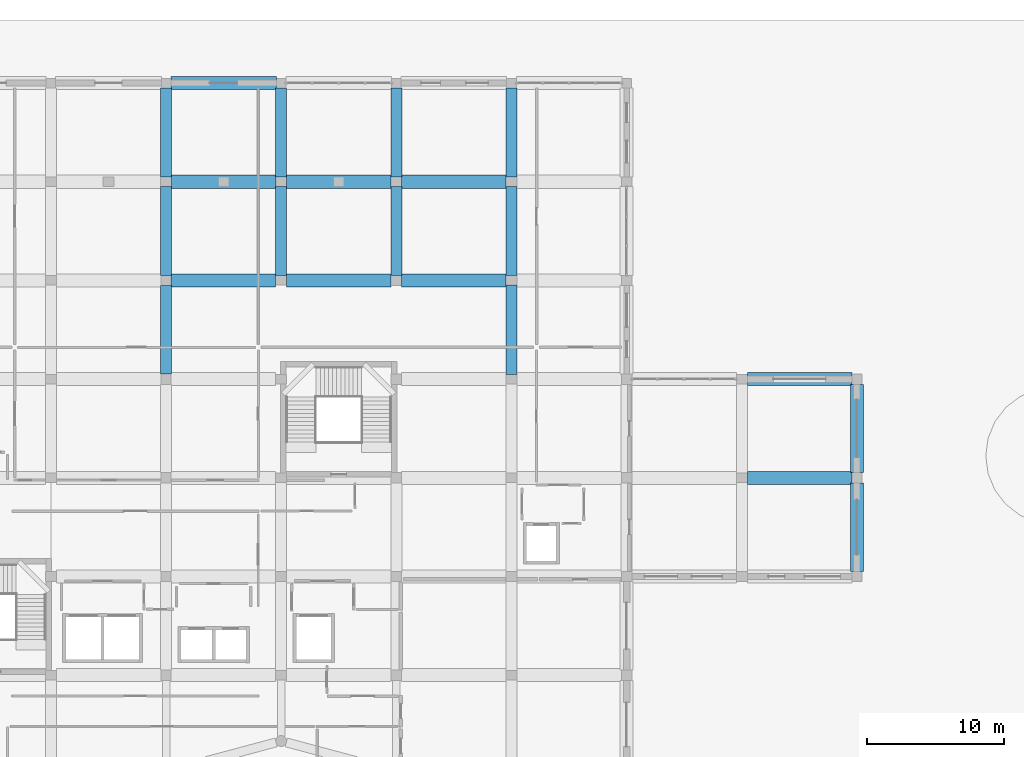
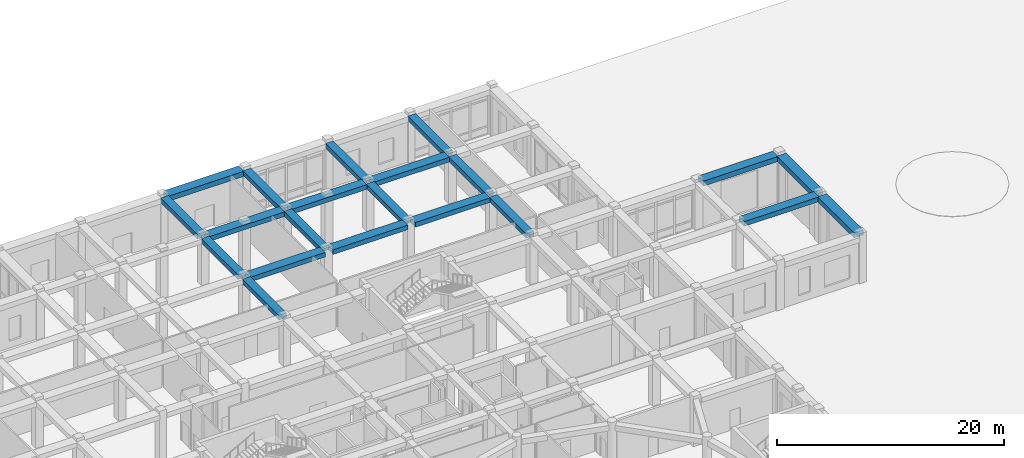
# One storey, part 38 of 84: 21 beams.
"""IFC4 building model written with IfcOpenShell, lengths in metres."""

from ifc_helpers import new_model, si_unit, derived_unit, direction, frame, origin, origin_2d, place, context, subcontext, project, spatial, rectangle, extrude, material, material_profile, profile_set, type_object, element, save


model = new_model("IFC4")

# Units and contexts
model_context = context("Model", 3, precision=1e-05, world=origin(), true_north=direction((0.0, 1.0)))
body_context = subcontext(model_context, "Body", "Model", "MODEL_VIEW")
ifc_project = project(units=[si_unit("LENGTHUNIT", "METRE"), si_unit("AREAUNIT", "SQUARE_METRE"), si_unit("VOLUMEUNIT", "CUBIC_METRE"), si_unit("PLANEANGLEUNIT", "RADIAN"), si_unit("MASSUNIT", "GRAM", prefix="KILO"), derived_unit("THERMALTRANSMITTANCEUNIT", [(si_unit("POWERUNIT", "WATT"), 1), (si_unit("LENGTHUNIT", "METRE"), -2), (si_unit("THERMODYNAMICTEMPERATUREUNIT", "KELVIN"), -1)])], contexts=[model_context])

# Site, building, storey
site_placement = place(None, origin())
site = spatial("IfcSite", under=ifc_project, at=site_placement, CompositionType="ELEMENT")
building_placement = place(site_placement, origin())
building = spatial("IfcBuilding", under=site, at=building_placement, Name="Veybourne Emporium", CompositionType="ELEMENT")
storey_placement = place(building_placement, origin())
storey = spatial("IfcBuildingStorey", under=building, at=storey_placement, Name="L00", CompositionType="ELEMENT", Elevation=0.0)

# Beams
ifc_material = material(Name="Concrete C32/40", Category="concrete")
ifc_material_profile_1 = material_profile(ifc_material, rectangle(XDim=0.949951171875, YDim=0.5, at=origin_2d()), Name="RC 950x500")
ifc_profile_set_1 = profile_set([ifc_material_profile_1], Name="Concrete C32/40")
beam_type_1 = type_object("IfcBeamType", Name="RCBeam_BB-01", PredefinedType="BEAM", material=ifc_profile_set_1)
beam_1_placement = place(storey_placement, frame((67.574951171875, 100.800048828125, 4.830078125), z_axis=(1.0, 0.0, 0.0), x_axis=(0.0, 1.0, 0.0)))
element("IfcBeam", 1, at=beam_1_placement, inside=storey, type_object=beam_type_1, Name="L00 X-grid beam BB-01 (8,14)", PredefinedType="BEAM", context=body_context, shape_type="SweptSolid", body=[
    extrude(rectangle(XDim=0.949951171875, YDim=0.5, at=origin_2d()), origin(), (0.0, 0.0, 1.0), 7.625),
])
beam_2_placement = place(storey_placement, frame((67.590087890625, 108.0, 4.830078125), z_axis=(1.0, 0.0, 0.0), x_axis=(0.0, 1.0, 0.0)))
element("IfcBeam", 2, at=beam_2_placement, inside=storey, type_object=beam_type_1, Name="L00 X-grid beam BB-01 (8,15)", PredefinedType="BEAM", context=body_context, shape_type="SweptSolid", body=[
    extrude(rectangle(XDim=0.949951171875, YDim=0.5, at=origin_2d()), origin(), (0.0, 0.0, 1.0), 7.619873046875),
])
beam_3_placement = place(storey_placement, frame((76.0, 100.800048828125, 4.830078125), z_axis=(1.0, 0.0, 0.0), x_axis=(0.0, 1.0, 0.0)))
element("IfcBeam", 3, at=beam_3_placement, inside=storey, type_object=beam_type_1, Name="L00 X-grid beam BB-01 (9,14)", PredefinedType="BEAM", context=body_context, shape_type="SweptSolid", body=[
    extrude(rectangle(XDim=0.949951171875, YDim=0.5, at=origin_2d()), origin(), (0.0, 0.0, 1.0), 7.625),
])
beam_4_placement = place(storey_placement, frame((75.989990234375, 108.0, 4.830078125), z_axis=(1.0, 0.0, 0.0), x_axis=(0.0, 1.0, 0.0)))
element("IfcBeam", 4, at=beam_4_placement, inside=storey, type_object=beam_type_1, Name="L00 X-grid beam BB-01 (9,15)", PredefinedType="BEAM", context=body_context, shape_type="SweptSolid", body=[
    extrude(rectangle(XDim=0.949951171875, YDim=0.5, at=origin_2d()), origin(), (0.0, 0.0, 1.0), 7.6201171875),
])
beam_5_placement = place(storey_placement, frame((84.375, 100.800048828125, 4.830078125), z_axis=(1.0, 0.0, 0.0), x_axis=(0.0, 1.0, 0.0)))
element("IfcBeam", 5, at=beam_5_placement, inside=storey, type_object=beam_type_1, Name="L00 X-grid beam BB-01 (10,14)", PredefinedType="BEAM", context=body_context, shape_type="SweptSolid", body=[
    extrude(rectangle(XDim=0.949951171875, YDim=0.5, at=origin_2d()), origin(), (0.0, 0.0, 1.0), 7.625),
])
beam_6_placement = place(storey_placement, frame((84.389892578125, 108.0, 4.830078125), z_axis=(1.0, 0.0, 0.0), x_axis=(0.0, 1.0, 0.0)))
element("IfcBeam", 6, at=beam_6_placement, inside=storey, type_object=beam_type_1, Name="L00 X-grid beam BB-01 (10,15)", PredefinedType="BEAM", context=body_context, shape_type="SweptSolid", body=[
    extrude(rectangle(XDim=0.949951171875, YDim=0.5, at=origin_2d()), origin(), (0.0, 0.0, 1.0), 7.6201171875),
])
beam_7_placement = place(storey_placement, frame((109.60009765625, 86.39990234375, 4.830078125), z_axis=(1.0, 0.0, 0.0), x_axis=(0.0, 1.0, 0.0)))
element("IfcBeam", 7, at=beam_7_placement, inside=storey, type_object=beam_type_1, Name="L00 X-grid beam BB-01 (13,12)", PredefinedType="BEAM", context=body_context, shape_type="SweptSolid", body=[
    extrude(rectangle(XDim=0.949951171875, YDim=0.5, at=origin_2d()), origin(), (0.0, 0.0, 1.0), 7.625),
])
ifc_material_profile_2 = material_profile(ifc_material, rectangle(XDim=0.800048828125, YDim=0.5, at=origin_2d()), Name="RC 800x500")
ifc_profile_set_2 = profile_set([ifc_material_profile_2], Name="Concrete C32/40")
beam_type_2 = type_object("IfcBeamType", Name="RCBeam_BB-02", PredefinedType="BEAM", material=ifc_profile_set_2)
beam_8_placement = place(storey_placement, frame((67.199951171875, 93.97509765625, 4.830078125), z_axis=(0.0, 1.0, 0.0), x_axis=(-1.0, 0.0, 0.0)))
element("IfcBeam", 8, at=beam_8_placement, inside=storey, type_object=beam_type_2, Name="L00 Y-grid beam BB-02 (8,13)", PredefinedType="BEAM", context=body_context, shape_type="SweptSolid", body=[
    extrude(rectangle(XDim=0.800048828125, YDim=0.5, at=origin_2d()), origin(), (0.0, 0.0, 1.0), 6.449951171875),
])
beam_9_placement = place(storey_placement, frame((67.199951171875, 101.175048828125, 4.830078125), z_axis=(0.0, 1.0, 0.0), x_axis=(-1.0, 0.0, 0.0)))
element("IfcBeam", 9, at=beam_9_placement, inside=storey, type_object=beam_type_2, Name="L00 Y-grid beam BB-02 (8,14)", PredefinedType="BEAM", context=body_context, shape_type="SweptSolid", body=[
    extrude(rectangle(XDim=0.800048828125, YDim=0.5, at=origin_2d()), origin(), (0.0, 0.0, 1.0), 6.46484375),
])
for number, where, z_axis, x_axis, name in (
    (10, (67.199951171875, 108.360107421875, 4.830078125), (0.0, 1.0, 0.0), (-1.0, 0.0, 0.0), "L00 Y-grid beam BB-02 (8,15)"),
    (11, (75.60009765625, 101.14990234375, 4.830078125), (0.0, 1.0, 0.0), (-1.0, 0.0, 0.0), "L00 Y-grid beam BB-02 (9,14)"),
    (12, (75.60009765625, 108.360107421875, 4.830078125), (0.0, 1.0, 0.0), (-1.0, 0.0, 0.0), "L00 Y-grid beam BB-02 (9,15)"),
):
    element("IfcBeam", number, at=place(storey_placement, frame(where, z_axis=z_axis, x_axis=x_axis)), inside=storey, type_object=beam_type_2, Name=name, PredefinedType="BEAM", context=body_context, shape_type="SweptSolid", body=[
        extrude(rectangle(XDim=0.800048828125, YDim=0.5, at=origin_2d()), origin(), (0.0, 0.0, 1.0), 6.489990234375),
    ])
beam_10_placement = place(storey_placement, frame((84.0, 101.175048828125, 4.830078125), z_axis=(0.0, 1.0, 0.0), x_axis=(-1.0, 0.0, 0.0)))
element("IfcBeam", 13, at=beam_10_placement, inside=storey, type_object=beam_type_2, Name="L00 Y-grid beam BB-02 (10,14)", PredefinedType="BEAM", context=body_context, shape_type="SweptSolid", body=[
    extrude(rectangle(XDim=0.800048828125, YDim=0.5, at=origin_2d()), origin(), (0.0, 0.0, 1.0), 6.46484375),
])
beam_11_placement = place(storey_placement, frame((84.0, 108.360107421875, 4.830078125), z_axis=(0.0, 1.0, 0.0), x_axis=(-1.0, 0.0, 0.0)))
element("IfcBeam", 14, at=beam_11_placement, inside=storey, type_object=beam_type_2, Name="L00 Y-grid beam BB-02 (10,15)", PredefinedType="BEAM", context=body_context, shape_type="SweptSolid", body=[
    extrude(rectangle(XDim=0.800048828125, YDim=0.5, at=origin_2d()), origin(), (0.0, 0.0, 1.0), 6.489990234375),
])
beam_12_placement = place(storey_placement, frame((92.39990234375, 93.949951171875, 4.830078125), z_axis=(0.0, 1.0, 0.0), x_axis=(-1.0, 0.0, 0.0)))
element("IfcBeam", 15, at=beam_12_placement, inside=storey, type_object=beam_type_2, Name="L00 Y-grid beam BB-02 (11,13)", PredefinedType="BEAM", context=body_context, shape_type="SweptSolid", body=[
    extrude(rectangle(XDim=0.800048828125, YDim=0.5, at=origin_2d()), origin(), (0.0, 0.0, 1.0), 6.5),
])
for number, where, z_axis, x_axis, name in (
    (16, (92.39990234375, 101.14990234375, 4.830078125), (0.0, 1.0, 0.0), (-1.0, 0.0, 0.0), "L00 Y-grid beam BB-02 (11,14)"),
    (17, (92.39990234375, 108.360107421875, 4.830078125), (0.0, 1.0, 0.0), (-1.0, 0.0, 0.0), "L00 Y-grid beam BB-02 (11,15)"),
):
    element("IfcBeam", number, at=place(storey_placement, frame(where, z_axis=z_axis, x_axis=x_axis)), inside=storey, type_object=beam_type_2, Name=name, PredefinedType="BEAM", context=body_context, shape_type="SweptSolid", body=[
        extrude(rectangle(XDim=0.800048828125, YDim=0.5, at=origin_2d()), origin(), (0.0, 0.0, 1.0), 6.489990234375),
    ])
ifc_material_profile_3 = material_profile(ifc_material, rectangle(XDim=0.949951171875, YDim=0.550048828125, at=origin_2d()), Name="RC 950x550")
ifc_profile_set_3 = profile_set([ifc_material_profile_3], Name="Concrete C32/40")
beam_type_3 = type_object("IfcBeamType", Name="RCBeam_EB-01", PredefinedType="SPANDREL", material=ifc_profile_set_3)
beam_13_placement = place(storey_placement, frame((67.550048828125, 115.199951171875, 4.804931640625), z_axis=(1.0, 0.0, 0.0), x_axis=(0.0, 1.0, 0.0)))
element("IfcBeam", 18, at=beam_13_placement, inside=storey, type_object=beam_type_3, Name="L00 X-grid beam EB-01 (8,16)", PredefinedType="SPANDREL", context=body_context, shape_type="SweptSolid", body=[
    extrude(rectangle(XDim=0.949951171875, YDim=0.550048828125, at=origin_2d()), origin(), (0.0, 0.0, 1.0), 7.699951171875),
])
beam_14_placement = place(storey_placement, frame((109.60009765625, 93.60009765625, 4.804931640625), z_axis=(1.0, 0.0, 0.0), x_axis=(0.0, 1.0, 0.0)))
element("IfcBeam", 19, at=beam_14_placement, inside=storey, type_object=beam_type_3, Name="L00 X-grid beam EB-01 (13,13)", PredefinedType="SPANDREL", context=body_context, shape_type="SweptSolid", body=[
    extrude(rectangle(XDim=0.949951171875, YDim=0.550048828125, at=origin_2d()), origin(), (0.0, 0.0, 1.0), 7.625),
])
beam_15_placement = place(storey_placement, frame((117.60009765625, 79.574951171875, 4.804931640625), z_axis=(0.0, 1.0, 0.0), x_axis=(-1.0, 0.0, 0.0)))
element("IfcBeam", 20, at=beam_15_placement, inside=storey, type_object=beam_type_3, Name="L00 Y-grid beam EB-01 (14,11)", PredefinedType="SPANDREL", context=body_context, shape_type="SweptSolid", body=[
    extrude(rectangle(XDim=0.949951171875, YDim=0.550048828125, at=origin_2d()), origin(), (0.0, 0.0, 1.0), 6.449951171875),
])
beam_16_placement = place(storey_placement, frame((117.60009765625, 86.77490234375, 4.804931640625), z_axis=(0.0, 1.0, 0.0), x_axis=(-1.0, 0.0, 0.0)))
element("IfcBeam", 21, at=beam_16_placement, inside=storey, type_object=beam_type_3, Name="L00 Y-grid beam EB-01 (14,12)", PredefinedType="SPANDREL", context=body_context, shape_type="SweptSolid", body=[
    extrude(rectangle(XDim=0.949951171875, YDim=0.550048828125, at=origin_2d()), origin(), (0.0, 0.0, 1.0), 6.4501953125),
])

save(model, "model.ifc")
